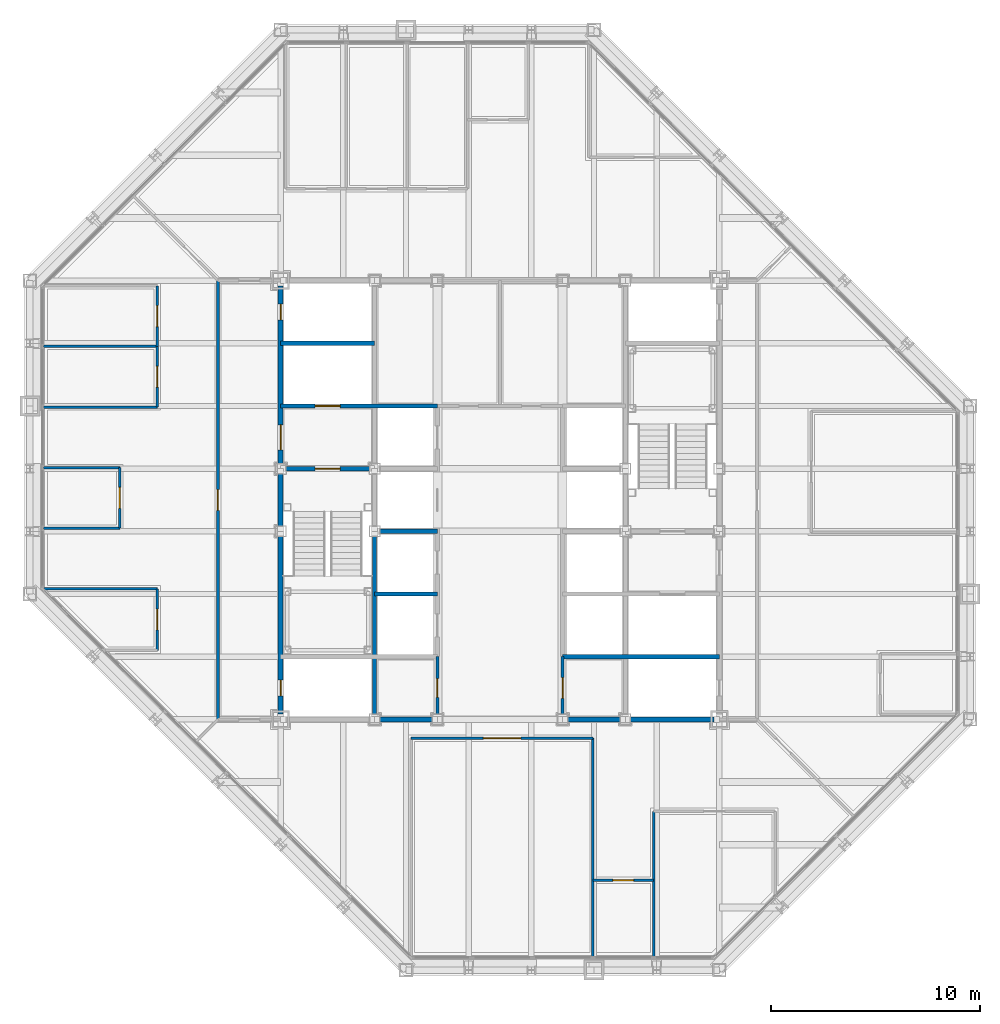
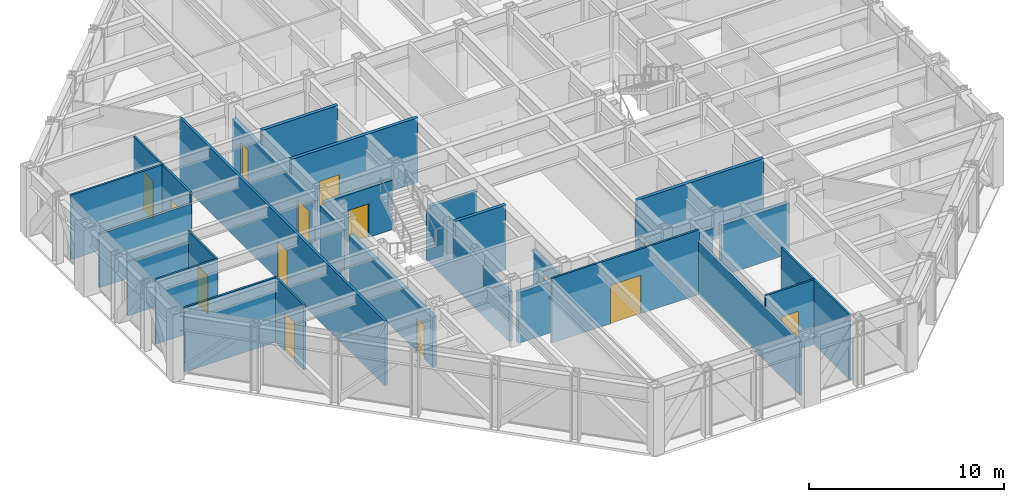
# One storey, part 11 of 16: 29 walls, 14 doors, 14 openings.
"""IFC4 building model written with IfcOpenShell, lengths in metres."""

from ifc_helpers import new_model, si_unit, direction, frame, frame_2d, origin, place, context, subcontext, project, spatial, rectangle, extrude, material, layer, layer_set, type_object, element, fill, save


model = new_model("IFC4")

# Units and contexts
model_context = context("Model", 3, precision=1e-05, world=origin(), true_north=direction((0.0, 1.0)))
body_context = subcontext(model_context, "Body", "Model", "MODEL_VIEW")
ifc_project = project(units=[si_unit("LENGTHUNIT", "METRE"), si_unit("AREAUNIT", "SQUARE_METRE"), si_unit("VOLUMEUNIT", "CUBIC_METRE"), si_unit("PLANEANGLEUNIT", "RADIAN"), si_unit("MASSUNIT", "GRAM", prefix="KILO")], contexts=[model_context])

# Site, building, storey
site_placement = place(None, origin())
site = spatial("IfcSite", under=ifc_project, at=site_placement, CompositionType="ELEMENT")
building_placement = place(site_placement, origin())
building = spatial("IfcBuilding", under=site, at=building_placement, Name="Chuquiago Exchange Tower", CompositionType="ELEMENT")
storey_placement = place(building_placement, frame((0.0, 0.0, 234.89990234375)))
storey = spatial("IfcBuildingStorey", under=building, at=storey_placement, Name="L52", CompositionType="ELEMENT", Elevation=234.89990234375)

# Wall, opening, door
ifc_material_1 = material(Name="Concrete masonry, fully grouted", Category="masonry")
ifc_layer_1 = layer(ifc_material_1, 0.25)
ifc_layer_set_1 = layer_set([ifc_layer_1], Name="W1 core wall 250")
wall_type_1 = type_object("IfcWallType", Name="W1 core wall 250", PredefinedType="SOLIDWALL", material=ifc_layer_set_1)
wall_1_placement = place(storey_placement, frame((12.0, 12.25, 0.0), z_axis=(0.0, 0.0, 1.0), x_axis=(0.0, 1.0, 0.0)))
wall_1 = element("IfcWall", 1, at=wall_1_placement, inside=storey, type_object=wall_type_1, Name="CW-L52-00-0", PredefinedType="SOLIDWALL", context=body_context, shape_type="SweptSolid", body=[
    extrude(rectangle(XDim=8.5, YDim=0.25, at=frame_2d((4.25, 0.0))), origin(), (0.0, 0.0, 1.0), 3.113037109375),
])
opening_1_placement = place(wall_1_placement, frame((0.875, 0.0, 0.0)))
opening_1 = element("IfcOpeningElement", 2, at=opening_1_placement, cuts=wall_1, Name="Opening L52-007", PredefinedType="OPENING", context=body_context, shape_type="SweptSolid", body=[
    extrude(rectangle(XDim=0.75, YDim=2.10009765625, at=frame_2d((0.375, 1.050048828125))), frame((0.0, 0.135009765625, 0.0), z_axis=(0.0, -1.0, 0.0), x_axis=(1.0, 0.0, 0.0)), (0.0, 0.0, 1.0), 0.27001953125),
])
ifc_material_2 = material(Name="Steel door, painted", Category="steel")
door_type_1 = type_object("IfcDoorType", Name="D6 riser access door 750x2100", OperationType="SINGLE_SWING_LEFT", PredefinedType="DOOR", material=ifc_material_2)
door_1_placement = place(opening_1_placement, origin())
door_1 = element("IfcDoor", 3, at=door_1_placement, inside=storey, type_object=door_type_1, Name="Riser RW1 door", OperationType="SINGLE_SWING_LEFT", OverallHeight=2.10009765625, OverallWidth=0.75, PredefinedType="DOOR", context=body_context, shape_type="SweptSolid", body=[
    extrude(rectangle(XDim=0.75, YDim=2.10009765625, at=frame_2d((0.375, 1.050048828125))), frame((0.0, 0.02490234375, 0.0), z_axis=(0.0, -1.0, 0.0), x_axis=(1.0, 0.0, 0.0)), (0.0, 0.0, 1.0), 0.050048828125),
])
fill(opening_1, door_1)

# Wall
wall_2_placement = place(storey_placement, frame((12.0, 21.25, 0.0), z_axis=(0.0, 0.0, 1.0), x_axis=(0.0, 1.0, 0.0)))
element("IfcWall", 4, at=wall_2_placement, inside=storey, type_object=wall_type_1, Name="CW-L52-00-1", PredefinedType="SOLIDWALL", context=body_context, shape_type="SweptSolid", body=[
    extrude(rectangle(XDim=2.5, YDim=0.25, at=frame_2d((1.25, 0.0))), origin(), (0.0, 0.0, 1.0), 3.113037109375),
])

# Wall, openings, doors
wall_3_placement = place(storey_placement, frame((12.0, 24.25, 0.0), z_axis=(0.0, 0.0, 1.0), x_axis=(0.0, 1.0, 0.0)))
wall_3 = element("IfcWall", 5, at=wall_3_placement, inside=storey, type_object=wall_type_1, Name="CW-L52-00-2", PredefinedType="SOLIDWALL", context=body_context, shape_type="SweptSolid", body=[
    extrude(rectangle(XDim=8.5, YDim=0.25, at=frame_2d((4.25, 0.0))), origin(), (0.0, 0.0, 1.0), 3.113037109375),
])
opening_2_placement = place(wall_3_placement, frame((0.64990234375, 0.0, 0.0)))
opening_2 = element("IfcOpeningElement", 6, at=opening_2_placement, cuts=wall_3, Name="Opening L52-002", PredefinedType="OPENING", context=body_context, shape_type="SweptSolid", body=[
    extrude(rectangle(XDim=1.199951171875, YDim=2.10009765625, at=frame_2d((0.60009765625, 1.050048828125))), frame((0.0, 0.135009765625, 0.0), z_axis=(0.0, -1.0, 0.0), x_axis=(1.0, 0.0, 0.0)), (0.0, 0.0, 1.0), 0.27001953125),
])
opening_3_placement = place(wall_3_placement, frame((6.875, 0.0, 0.0)))
opening_3 = element("IfcOpeningElement", 7, at=opening_3_placement, cuts=wall_3, Name="Opening L52-008", PredefinedType="OPENING", context=body_context, shape_type="SweptSolid", body=[
    extrude(rectangle(XDim=0.75, YDim=2.10009765625, at=frame_2d((0.375, 1.050048828125))), frame((0.0, 0.135009765625, 0.0), z_axis=(0.0, -1.0, 0.0), x_axis=(1.0, 0.0, 0.0)), (0.0, 0.0, 1.0), 0.27001953125),
])
ifc_material_3 = material(Name="Steel door, painted", Category="steel")
door_type_2 = type_object("IfcDoorType", Name="D5 firefighting lobby door 1200x2100", OperationType="SINGLE_SWING_LEFT", PredefinedType="DOOR", material=ifc_material_3)
door_2_placement = place(opening_2_placement, frame((1.199951171875, 0.0, 0.0), z_axis=(0.0, 0.0, 1.0), x_axis=(-1.0, 0.0, 0.0)))
door_2 = element("IfcDoor", 8, at=door_2_placement, inside=storey, type_object=door_type_2, Name="Firefighting lobby 1 door", OperationType="SINGLE_SWING_RIGHT", OverallHeight=2.10009765625, OverallWidth=1.199951171875, PredefinedType="DOOR", context=body_context, shape_type="SweptSolid", body=[
    extrude(rectangle(XDim=1.199951171875, YDim=2.10009765625, at=frame_2d((0.60009765625, 1.050048828125))), frame((0.0, 0.02490234375, 0.0), z_axis=(0.0, -1.0, 0.0), x_axis=(1.0, 0.0, 0.0)), (0.0, 0.0, 1.0), 0.050048828125),
])
fill(opening_2, door_2)
door_3_placement = place(opening_3_placement, origin())
door_3 = element("IfcDoor", 9, at=door_3_placement, inside=storey, type_object=door_type_1, Name="Riser RW2 door", OperationType="SINGLE_SWING_RIGHT", OverallHeight=2.10009765625, OverallWidth=0.75, PredefinedType="DOOR", context=body_context, shape_type="SweptSolid", body=[
    extrude(rectangle(XDim=0.75, YDim=2.10009765625, at=frame_2d((0.375, 1.050048828125))), frame((0.0, 0.02490234375, 0.0), z_axis=(0.0, -1.0, 0.0), x_axis=(1.0, 0.0, 0.0)), (0.0, 0.0, 1.0), 0.050048828125),
])
fill(opening_3, door_3)

# Walls
for number, where, z_axis, x_axis, name in (
    (10, (16.75, 12.0, 0.0), (0.0, 0.0, 1.0), (1.0, 0.0, 0.0), "CW-L52-01-1"),
    (11, (25.75, 12.0, 0.0), (0.0, 0.0, 1.0), (1.0, 0.0, 0.0), "CW-L52-02-0"),
):
    element("IfcWall", number, at=place(storey_placement, frame(where, z_axis=z_axis, x_axis=x_axis)), inside=storey, type_object=wall_type_1, Name=name, PredefinedType="SOLIDWALL", context=body_context, shape_type="SweptSolid", body=[
        extrude(rectangle(XDim=2.5, YDim=0.25, at=frame_2d((1.25, 0.0))), origin(), (0.0, 0.0, 1.0), 3.181640625),
    ])
wall_4_placement = place(storey_placement, frame((28.75, 12.0, 0.0), z_axis=(0.0, 0.0, 1.0), x_axis=(1.0, 0.0, 0.0)))
element("IfcWall", 12, at=wall_4_placement, inside=storey, type_object=wall_type_1, Name="CW-L52-02-1", PredefinedType="SOLIDWALL", context=body_context, shape_type="SweptSolid", body=[
    extrude(rectangle(XDim=4.0, YDim=0.25, at=frame_2d((2.0, 0.0))), origin(), (0.0, 0.0, 1.0), 3.181640625),
])

# Wall, opening, door
ifc_material_4 = material(Name="Gypsum board on steel studs, acoustic insulation", Category="steel")
ifc_layer_2 = layer(ifc_material_4, 0.14990234375)
ifc_layer_set_2 = layer_set([ifc_layer_2], Name="W11 corridor wall 150")
wall_type_2 = type_object("IfcWallType", Name="W11 corridor wall 150", PredefinedType="PARTITIONING", material=ifc_layer_set_2)
wall_5_placement = place(storey_placement, frame((9.0, 12.0, 0.0), z_axis=(0.0, 0.0, 1.0), x_axis=(0.0, 1.0, 0.0)))
wall_5 = element("IfcWall", 13, at=wall_5_placement, inside=storey, type_object=wall_type_2, Name="PW-L52-GW0", PredefinedType="PARTITIONING", context=body_context, shape_type="SweptSolid", body=[
    extrude(rectangle(XDim=21.0, YDim=0.14990234375, at=frame_2d((10.5, 0.0))), origin(), (0.0, 0.0, 1.0), 4.0400390625),
])
opening_4_placement = place(wall_5_placement, frame((10.0, 0.0, 0.0)))
opening_4 = element("IfcOpeningElement", 14, at=opening_4_placement, cuts=wall_5, Name="Opening L52-033", PredefinedType="OPENING", context=body_context, shape_type="SweptSolid", body=[
    extrude(rectangle(XDim=1.0, YDim=2.39990234375, at=frame_2d((0.5, 1.199951171875))), frame((0.0, 0.0849609375, 0.0), z_axis=(0.0, -1.0, 0.0), x_axis=(1.0, 0.0, 0.0)), (0.0, 0.0, 1.0), 0.169921875),
])
ifc_material_5 = material(Name="Timber door, laminate faced", Category="wood")
door_type_3 = type_object("IfcDoorType", Name="D9 room door 1000x2400", OperationType="SINGLE_SWING_LEFT", PredefinedType="DOOR", material=ifc_material_5)
door_4_placement = place(opening_4_placement, origin())
door_4 = element("IfcDoor", 15, at=door_4_placement, inside=storey, type_object=door_type_3, Name="Team area door", OperationType="SINGLE_SWING_LEFT", OverallHeight=2.39990234375, OverallWidth=1.0, PredefinedType="DOOR", context=body_context, shape_type="SweptSolid", body=[
    extrude(rectangle(XDim=1.0, YDim=2.39990234375, at=frame_2d((0.5, 1.199951171875))), frame((0.0, 0.02490234375, 0.0), z_axis=(0.0, -1.0, 0.0), x_axis=(1.0, 0.0, 0.0)), (0.0, 0.0, 1.0), 0.050048828125),
])
fill(opening_4, door_4)

# Wall
ifc_material_6 = material(Name="Concrete masonry, fully grouted", Category="masonry")
ifc_layer_3 = layer(ifc_material_6, 0.199951171875)
ifc_layer_set_3 = layer_set([ifc_layer_3], Name="W2 shaft wall 200")
wall_type_3 = type_object("IfcWallType", Name="W2 shaft wall 200", PredefinedType="SOLIDWALL", material=ifc_layer_set_3)
wall_6_placement = place(storey_placement, frame((25.5, 15.0, 0.0), z_axis=(0.0, 0.0, 1.0), x_axis=(1.0, 0.0, 0.0)))
element("IfcWall", 16, at=wall_6_placement, inside=storey, type_object=wall_type_3, Name="CW-L52-04-0", PredefinedType="SOLIDWALL", context=body_context, shape_type="SweptSolid", body=[
    extrude(rectangle(XDim=7.5, YDim=0.199951171875, at=frame_2d((3.75, 0.0))), origin(), (0.0, 0.0, 1.0), 4.0400390625),
])

# Wall, opening, door
wall_7_placement = place(storey_placement, frame((12.25, 24.0, 0.0), z_axis=(0.0, 0.0, 1.0), x_axis=(1.0, 0.0, 0.0)))
wall_7 = element("IfcWall", 17, at=wall_7_placement, inside=storey, type_object=wall_type_3, Name="CW-L52-05-0", PredefinedType="SOLIDWALL", context=body_context, shape_type="SweptSolid", body=[
    extrude(rectangle(XDim=4.0, YDim=0.199951171875, at=frame_2d((2.0, 0.0))), origin(), (0.0, 0.0, 1.0), 3.090087890625),
])
opening_5_placement = place(wall_7_placement, frame((1.39990234375, 0.0, 0.0)))
opening_5 = element("IfcOpeningElement", 18, at=opening_5_placement, cuts=wall_7, Name="Opening L52-001", PredefinedType="OPENING", context=body_context, shape_type="SweptSolid", body=[
    extrude(rectangle(XDim=1.199951171875, YDim=2.10009765625, at=frame_2d((0.60009765625, 1.050048828125))), frame((0.0, 0.10986328125, 0.0), z_axis=(0.0, -1.0, 0.0), x_axis=(1.0, 0.0, 0.0)), (0.0, 0.0, 1.0), 0.219970703125),
])
ifc_material_7 = material(Name="Steel door, painted", Category="steel")
door_type_4 = type_object("IfcDoorType", Name="D4 stair door 1200x2100", OperationType="SINGLE_SWING_LEFT", PredefinedType="DOOR", material=ifc_material_7)
door_5_placement = place(opening_5_placement, frame((1.199951171875, 0.0, 0.0), z_axis=(0.0, 0.0, 1.0), x_axis=(-1.0, 0.0, 0.0)))
door_5 = element("IfcDoor", 19, at=door_5_placement, inside=storey, type_object=door_type_4, Name="Stair ST1 door", OperationType="SINGLE_SWING_RIGHT", OverallHeight=2.10009765625, OverallWidth=1.199951171875, PredefinedType="DOOR", context=body_context, shape_type="SweptSolid", body=[
    extrude(rectangle(XDim=1.199951171875, YDim=2.10009765625, at=frame_2d((0.60009765625, 1.050048828125))), frame((0.0, 0.02490234375, 0.0), z_axis=(0.0, -1.0, 0.0), x_axis=(1.0, 0.0, 0.0)), (0.0, 0.0, 1.0), 0.050048828125),
])
fill(opening_5, door_5)

wall_8_placement = place(storey_placement, frame((12.0, 27.0, 0.0), z_axis=(0.0, 0.0, 1.0), x_axis=(1.0, 0.0, 0.0)))
wall_8 = element("IfcWall", 20, at=wall_8_placement, inside=storey, type_object=wall_type_3, Name="CW-L52-07-0", PredefinedType="SOLIDWALL", context=body_context, shape_type="SweptSolid", body=[
    extrude(rectangle(XDim=7.5, YDim=0.199951171875, at=frame_2d((3.75, 0.0))), origin(), (0.0, 0.0, 1.0), 4.0400390625),
])
opening_6_placement = place(wall_8_placement, frame((1.64990234375, 0.0, 0.0)))
opening_6 = element("IfcOpeningElement", 21, at=opening_6_placement, cuts=wall_8, Name="Opening L52-005", PredefinedType="OPENING", context=body_context, shape_type="SweptSolid", body=[
    extrude(rectangle(XDim=1.199951171875, YDim=2.10009765625, at=frame_2d((0.60009765625, 1.050048828125))), frame((0.0, 0.10986328125, 0.0), z_axis=(0.0, -1.0, 0.0), x_axis=(1.0, 0.0, 0.0)), (0.0, 0.0, 1.0), 0.219970703125),
])
ifc_material_8 = material(Name="Stainless steel lift landing door", Category="steel")
door_type_5 = type_object("IfcDoorType", Name="LD2 firefighting lift landing door 1200x2100", OperationType="DOUBLE_DOOR_SLIDING", PredefinedType="DOOR", material=ifc_material_8)
door_6_placement = place(opening_6_placement, origin())
door_6 = element("IfcDoor", 22, at=door_6_placement, inside=storey, type_object=door_type_5, Name="Firefighting lift FL1 landing door", OperationType="DOUBLE_DOOR_SLIDING", OverallHeight=2.10009765625, OverallWidth=1.199951171875, PredefinedType="DOOR", context=body_context, shape_type="SweptSolid", body=[
    extrude(rectangle(XDim=1.199951171875, YDim=2.10009765625, at=frame_2d((0.60009765625, 1.050048828125))), frame((0.0, 0.02490234375, 0.0), z_axis=(0.0, -1.0, 0.0), x_axis=(1.0, 0.0, 0.0)), (0.0, 0.0, 1.0), 0.050048828125),
])
fill(opening_6, door_6)

# Walls
wall_9_placement = place(storey_placement, frame((12.0, 30.0, 0.0), z_axis=(0.0, 0.0, 1.0), x_axis=(1.0, 0.0, 0.0)))
element("IfcWall", 23, at=wall_9_placement, inside=storey, type_object=wall_type_3, Name="CW-L52-09-0", PredefinedType="SOLIDWALL", context=body_context, shape_type="SweptSolid", body=[
    extrude(rectangle(XDim=4.5, YDim=0.199951171875, at=frame_2d((2.25, 0.0))), origin(), (0.0, 0.0, 1.0), 4.0400390625),
])
wall_10_placement = place(storey_placement, frame((16.5, 12.25, 0.0), z_axis=(0.0, 0.0, 1.0), x_axis=(0.0, 1.0, 0.0)))
element("IfcWall", 24, at=wall_10_placement, inside=storey, type_object=wall_type_3, Name="CW-L52-13-0", PredefinedType="SOLIDWALL", context=body_context, shape_type="SweptSolid", body=[
    extrude(rectangle(XDim=8.5, YDim=0.199951171875, at=frame_2d((4.25, 0.0))), origin(), (0.0, 0.0, 1.0), 3.113037109375),
])
wall_11_placement = place(storey_placement, frame((16.5, 18.0, 0.0), z_axis=(0.0, 0.0, 1.0), x_axis=(1.0, 0.0, 0.0)))
element("IfcWall", 25, at=wall_11_placement, inside=storey, type_object=wall_type_3, Name="CW-L52-14-0", PredefinedType="SOLIDWALL", context=body_context, shape_type="SweptSolid", body=[
    extrude(rectangle(XDim=3.0, YDim=0.199951171875, at=frame_2d((1.5, 0.0))), origin(), (0.0, 0.0, 1.0), 4.0400390625),
])
wall_12_placement = place(storey_placement, frame((16.75, 21.0, 0.0), z_axis=(0.0, 0.0, 1.0), x_axis=(1.0, 0.0, 0.0)))
element("IfcWall", 26, at=wall_12_placement, inside=storey, type_object=wall_type_3, Name="CW-L52-16-0", PredefinedType="SOLIDWALL", context=body_context, shape_type="SweptSolid", body=[
    extrude(rectangle(XDim=2.75, YDim=0.199951171875, at=frame_2d((1.375, 0.0))), origin(), (0.0, 0.0, 1.0), 3.090087890625),
])

# Wall, opening, door
ifc_material_9 = material(Name="Gypsum board on steel studs", Category="steel")
ifc_layer_4 = layer(ifc_material_9, 0.14990234375)
ifc_layer_set_4 = layer_set([ifc_layer_4], Name="W3 core partition 150")
wall_type_4 = type_object("IfcWallType", Name="W3 core partition 150", PredefinedType="PARTITIONING", material=ifc_layer_set_4)
wall_13_placement = place(storey_placement, frame((19.5, 12.25, 0.0), z_axis=(0.0, 0.0, 1.0), x_axis=(0.0, 1.0, 0.0)))
wall_13 = element("IfcWall", 27, at=wall_13_placement, inside=storey, type_object=wall_type_4, Name="CW-L52-18-0", PredefinedType="PARTITIONING", context=body_context, shape_type="SweptSolid", body=[
    extrude(rectangle(XDim=2.75, YDim=0.14990234375, at=frame_2d((1.375, 0.0))), origin(), (0.0, 0.0, 1.0), 3.064697265625),
])
opening_7_placement = place(wall_13_placement, frame((0.800048828125, 0.0, 0.0)))
opening_7 = element("IfcOpeningElement", 28, at=opening_7_placement, cuts=wall_13, Name="Opening L52-014", PredefinedType="OPENING", context=body_context, shape_type="SweptSolid", body=[
    extrude(rectangle(XDim=0.89990234375, YDim=2.10009765625, at=frame_2d((0.449951171875, 1.050048828125))), frame((0.0, 0.0849609375, 0.0), z_axis=(0.0, -1.0, 0.0), x_axis=(1.0, 0.0, 0.0)), (0.0, 0.0, 1.0), 0.169921875),
])
ifc_material_10 = material(Name="Timber door, laminate faced", Category="wood")
door_type_6 = type_object("IfcDoorType", Name="D7 toilet door 900x2100", OperationType="SINGLE_SWING_LEFT", PredefinedType="DOOR", material=ifc_material_10)
door_7_placement = place(opening_7_placement, frame((0.89990234375, 0.0, 0.0), z_axis=(0.0, 0.0, 1.0), x_axis=(-1.0, 0.0, 0.0)))
door_7 = element("IfcDoor", 29, at=door_7_placement, inside=storey, type_object=door_type_6, Name="Cleaner door", OperationType="SINGLE_SWING_RIGHT", OverallHeight=2.10009765625, OverallWidth=0.89990234375, PredefinedType="DOOR", context=body_context, shape_type="SweptSolid", body=[
    extrude(rectangle(XDim=0.89990234375, YDim=2.10009765625, at=frame_2d((0.449951171875, 1.050048828125))), frame((0.0, 0.02490234375, 0.0), z_axis=(0.0, -1.0, 0.0), x_axis=(1.0, 0.0, 0.0)), (0.0, 0.0, 1.0), 0.050048828125),
])
fill(opening_7, door_7)

wall_14_placement = place(storey_placement, frame((25.5, 12.25, 0.0), z_axis=(0.0, 0.0, 1.0), x_axis=(0.0, 1.0, 0.0)))
wall_14 = element("IfcWall", 30, at=wall_14_placement, inside=storey, type_object=wall_type_4, Name="CW-L52-21-0", PredefinedType="PARTITIONING", context=body_context, shape_type="SweptSolid", body=[
    extrude(rectangle(XDim=2.75, YDim=0.14990234375, at=frame_2d((1.375, 0.0))), origin(), (0.0, 0.0, 1.0), 3.064697265625),
])
opening_8_placement = place(wall_14_placement, frame((0.75, 0.0, 0.0)))
opening_8 = element("IfcOpeningElement", 31, at=opening_8_placement, cuts=wall_14, Name="Opening L52-013", PredefinedType="OPENING", context=body_context, shape_type="SweptSolid", body=[
    extrude(rectangle(XDim=1.0, YDim=2.10009765625, at=frame_2d((0.5, 1.050048828125))), frame((0.0, 0.0849609375, 0.0), z_axis=(0.0, -1.0, 0.0), x_axis=(1.0, 0.0, 0.0)), (0.0, 0.0, 1.0), 0.169921875),
])
ifc_material_11 = material(Name="Timber door, laminate faced", Category="wood")
door_type_7 = type_object("IfcDoorType", Name="D8 accessible toilet door 1000x2100", OperationType="SLIDING_TO_LEFT", PredefinedType="DOOR", material=ifc_material_11)
door_8_placement = place(opening_8_placement, origin())
door_8 = element("IfcDoor", 32, at=door_8_placement, inside=storey, type_object=door_type_7, Name="Accessible WC door", OperationType="SLIDING_TO_LEFT", OverallHeight=2.10009765625, OverallWidth=1.0, PredefinedType="DOOR", context=body_context, shape_type="SweptSolid", body=[
    extrude(rectangle(XDim=1.0, YDim=2.10009765625, at=frame_2d((0.5, 1.050048828125))), frame((0.0, 0.02490234375, 0.0), z_axis=(0.0, -1.0, 0.0), x_axis=(1.0, 0.0, 0.0)), (0.0, 0.0, 1.0), 0.050048828125),
])
fill(opening_8, door_8)

# Walls
ifc_material_12 = material(Name="Gypsum board on steel studs", Category="steel")
ifc_layer_5 = layer(ifc_material_12, 0.1201171875)
ifc_layer_set_5 = layer_set([ifc_layer_5], Name="W4 partition 120")
wall_type_5 = type_object("IfcWallType", Name="W4 partition 120", PredefinedType="PARTITIONING", material=ifc_layer_set_5)
wall_15_placement = place(storey_placement, frame((26.9501953125, 0.652587890625, 0.0), z_axis=(0.0, 0.0, 1.0), x_axis=(0.0, 1.0, 0.0)))
element("IfcWall", 33, at=wall_15_placement, inside=storey, type_object=wall_type_5, Name="PW-L52-S02695", PredefinedType="PARTITIONING", context=body_context, shape_type="SweptSolid", body=[
    extrude(rectangle(XDim=10.447509765625, YDim=0.1201171875, at=frame_2d((5.2236328125, 0.0))), origin(), (0.0, 0.0, 1.0), 3.35693359375),
])
wall_16_placement = place(storey_placement, frame((29.850830078125, 0.652587890625, 0.0), z_axis=(0.0, 0.0, 1.0), x_axis=(0.0, 1.0, 0.0)))
element("IfcWall", 34, at=wall_16_placement, inside=storey, type_object=wall_type_5, Name="PW-L52-S02985", PredefinedType="PARTITIONING", context=body_context, shape_type="SweptSolid", body=[
    extrude(rectangle(XDim=6.947509765625, YDim=0.1201171875, at=frame_2d((3.4736328125, 0.0))), origin(), (0.0, 0.0, 1.0), 4.0400390625),
])

# Wall, opening, door
wall_17_placement = place(storey_placement, frame((18.24853515625, 11.10009765625, 0.0), z_axis=(0.0, 0.0, 1.0), x_axis=(1.0, 0.0, 0.0)))
wall_17 = element("IfcWall", 35, at=wall_17_placement, inside=storey, type_object=wall_type_5, Name="PW-L52-SF01825", PredefinedType="PARTITIONING", context=body_context, shape_type="SweptSolid", body=[
    extrude(rectangle(XDim=8.70166015625, YDim=0.1201171875, at=frame_2d((4.350830078125, 0.0))), origin(), (0.0, 0.0, 1.0), 4.0400390625),
])
opening_9_placement = place(wall_17_placement, frame((3.450927734375, 0.0, 0.0)))
opening_9 = element("IfcOpeningElement", 36, at=opening_9_placement, cuts=wall_17, Name="Opening L52-019", PredefinedType="OPENING", context=body_context, shape_type="SweptSolid", body=[
    extrude(rectangle(XDim=1.800048828125, YDim=2.39990234375, at=frame_2d((0.89990234375, 1.199951171875))), frame((0.0, 0.070068359375, 0.0), z_axis=(0.0, -1.0, 0.0), x_axis=(1.0, 0.0, 0.0)), (0.0, 0.0, 1.0), 0.14013671875),
])
ifc_material_13 = material(Name="Timber door pair, laminate faced", Category="wood")
door_type_8 = type_object("IfcDoorType", Name="D15 double room door 1800x2400", OperationType="DOUBLE_DOOR_DOUBLE_SWING", PredefinedType="DOOR", material=ifc_material_13)
door_9_placement = place(opening_9_placement, origin())
door_9 = element("IfcDoor", 37, at=door_9_placement, inside=storey, type_object=door_type_8, Name="Trading room door", OperationType="DOUBLE_DOOR_DOUBLE_SWING", OverallHeight=2.39990234375, OverallWidth=1.800048828125, PredefinedType="DOOR", context=body_context, shape_type="SweptSolid", body=[
    extrude(rectangle(XDim=1.800048828125, YDim=2.39990234375, at=frame_2d((0.89990234375, 1.199951171875))), frame((0.0, 0.02490234375, 0.0), z_axis=(0.0, -1.0, 0.0), x_axis=(1.0, 0.0, 0.0)), (0.0, 0.0, 1.0), 0.050048828125),
])
fill(opening_9, door_9)

wall_18_placement = place(storey_placement, frame((26.9501953125, 4.300048828125, 0.0), z_axis=(0.0, 0.0, 1.0), x_axis=(1.0, 0.0, 0.0)))
wall_18 = element("IfcWall", 38, at=wall_18_placement, inside=storey, type_object=wall_type_5, Name="PW-L52-SF02695", PredefinedType="PARTITIONING", context=body_context, shape_type="SweptSolid", body=[
    extrude(rectangle(XDim=2.900634765625, YDim=0.1201171875, at=frame_2d((1.4501953125, 0.0))), origin(), (0.0, 0.0, 1.0), 4.0400390625),
])
opening_10_placement = place(wall_18_placement, frame((0.9501953125, 0.0, 0.0)))
opening_10 = element("IfcOpeningElement", 39, at=opening_10_placement, cuts=wall_18, Name="Opening L52-020", PredefinedType="OPENING", context=body_context, shape_type="SweptSolid", body=[
    extrude(rectangle(XDim=1.0, YDim=2.39990234375, at=frame_2d((0.5, 1.199951171875))), frame((0.0, 0.070068359375, 0.0), z_axis=(0.0, -1.0, 0.0), x_axis=(1.0, 0.0, 0.0)), (0.0, 0.0, 1.0), 0.14013671875),
])
ifc_material_14 = material(Name="Timber frame door, full height glazed panel", Category="wood")
door_type_9 = type_object("IfcDoorType", Name="D14 glazed meeting room door 1000x2400", OperationType="SINGLE_SWING_LEFT", PredefinedType="DOOR", material=ifc_material_14)
door_10_placement = place(opening_10_placement, frame((1.0, 0.0, 0.0), z_axis=(0.0, 0.0, 1.0), x_axis=(-1.0, 0.0, 0.0)))
door_10 = element("IfcDoor", 40, at=door_10_placement, inside=storey, type_object=door_type_9, Name="Focus room door", OperationType="SINGLE_SWING_RIGHT", OverallHeight=2.39990234375, OverallWidth=1.0, PredefinedType="DOOR", context=body_context, shape_type="SweptSolid", body=[
    extrude(rectangle(XDim=1.0, YDim=2.39990234375, at=frame_2d((0.5, 1.199951171875))), frame((0.0, 0.02490234375, 0.0), z_axis=(0.0, -1.0, 0.0), x_axis=(1.0, 0.0, 0.0)), (0.0, 0.0, 1.0), 0.050048828125),
])
fill(opening_10, door_10)

# Walls
wall_19_placement = place(storey_placement, frame((0.666015625, 18.24853515625, 0.0), z_axis=(0.0, 0.0, 1.0), x_axis=(1.0, 0.0, 0.0)))
element("IfcWall", 41, at=wall_19_placement, inside=storey, type_object=wall_type_5, Name="PW-L52-W01825", PredefinedType="PARTITIONING", context=body_context, shape_type="SweptSolid", body=[
    extrude(rectangle(XDim=5.43408203125, YDim=0.1201171875, at=frame_2d((2.717041015625, 0.0))), origin(), (0.0, 0.0, 1.0), 4.0400390625),
])
wall_20_placement = place(storey_placement, frame((0.652587890625, 21.149169921875, 0.0), z_axis=(0.0, 0.0, 1.0), x_axis=(1.0, 0.0, 0.0)))
element("IfcWall", 42, at=wall_20_placement, inside=storey, type_object=wall_type_5, Name="PW-L52-W02115", PredefinedType="PARTITIONING", context=body_context, shape_type="SweptSolid", body=[
    extrude(rectangle(XDim=3.6474609375, YDim=0.1201171875, at=frame_2d((1.82373046875, 0.0))), origin(), (0.0, 0.0, 1.0), 4.0400390625),
])
wall_21_placement = place(storey_placement, frame((0.652587890625, 24.0498046875, 0.0), z_axis=(0.0, 0.0, 1.0), x_axis=(1.0, 0.0, 0.0)))
element("IfcWall", 43, at=wall_21_placement, inside=storey, type_object=wall_type_5, Name="PW-L52-W02405", PredefinedType="PARTITIONING", context=body_context, shape_type="SweptSolid", body=[
    extrude(rectangle(XDim=3.6474609375, YDim=0.1201171875, at=frame_2d((1.82373046875, 0.0))), origin(), (0.0, 0.0, 1.0), 3.35693359375),
])
wall_22_placement = place(storey_placement, frame((0.652587890625, 26.9501953125, 0.0), z_axis=(0.0, 0.0, 1.0), x_axis=(1.0, 0.0, 0.0)))
element("IfcWall", 44, at=wall_22_placement, inside=storey, type_object=wall_type_5, Name="PW-L52-W02695", PredefinedType="PARTITIONING", context=body_context, shape_type="SweptSolid", body=[
    extrude(rectangle(XDim=5.447509765625, YDim=0.1201171875, at=frame_2d((2.7236328125, 0.0))), origin(), (0.0, 0.0, 1.0), 3.35693359375),
])
wall_23_placement = place(storey_placement, frame((0.652587890625, 29.850830078125, 0.0), z_axis=(0.0, 0.0, 1.0), x_axis=(1.0, 0.0, 0.0)))
element("IfcWall", 45, at=wall_23_placement, inside=storey, type_object=wall_type_5, Name="PW-L52-W02985", PredefinedType="PARTITIONING", context=body_context, shape_type="SweptSolid", body=[
    extrude(rectangle(XDim=5.447509765625, YDim=0.1201171875, at=frame_2d((2.7236328125, 0.0))), origin(), (0.0, 0.0, 1.0), 4.0400390625),
])

# Wall, opening, door
wall_24_placement = place(storey_placement, frame((6.10009765625, 15.30712890625, 0.0), z_axis=(0.0, 0.0, 1.0), x_axis=(0.0, 1.0, 0.0)))
wall_24 = element("IfcWall", 46, at=wall_24_placement, inside=storey, type_object=wall_type_5, Name="PW-L52-WF01531", PredefinedType="PARTITIONING", context=body_context, shape_type="SweptSolid", body=[
    extrude(rectangle(XDim=2.94140625, YDim=0.1201171875, at=frame_2d((1.470703125, 0.0))), origin(), (0.0, 0.0, 1.0), 4.0400390625),
])
opening_11_placement = place(wall_24_placement, frame((0.970703125, 0.0, 0.0)))
opening_11 = element("IfcOpeningElement", 47, at=opening_11_placement, cuts=wall_24, Name="Opening L52-029", PredefinedType="OPENING", context=body_context, shape_type="SweptSolid", body=[
    extrude(rectangle(XDim=1.0, YDim=2.39990234375, at=frame_2d((0.5, 1.199951171875))), frame((0.0, 0.070068359375, 0.0), z_axis=(0.0, -1.0, 0.0), x_axis=(1.0, 0.0, 0.0)), (0.0, 0.0, 1.0), 0.14013671875),
])
door_11_placement = place(opening_11_placement, origin())
door_11 = element("IfcDoor", 48, at=door_11_placement, inside=storey, type_object=door_type_9, Name="Meeting room door", OperationType="SINGLE_SWING_RIGHT", OverallHeight=2.39990234375, OverallWidth=1.0, PredefinedType="DOOR", context=body_context, shape_type="SweptSolid", body=[
    extrude(rectangle(XDim=1.0, YDim=2.39990234375, at=frame_2d((0.5, 1.199951171875))), frame((0.0, 0.02490234375, 0.0), z_axis=(0.0, -1.0, 0.0), x_axis=(1.0, 0.0, 0.0)), (0.0, 0.0, 1.0), 0.050048828125),
])
fill(opening_11, door_11)

wall_25_placement = place(storey_placement, frame((4.300048828125, 21.149169921875, 0.0), z_axis=(0.0, 0.0, 1.0), x_axis=(0.0, 1.0, 0.0)))
wall_25 = element("IfcWall", 49, at=wall_25_placement, inside=storey, type_object=wall_type_5, Name="PW-L52-WF02115", PredefinedType="PARTITIONING", context=body_context, shape_type="SweptSolid", body=[
    extrude(rectangle(XDim=2.900634765625, YDim=0.1201171875, at=frame_2d((1.4501953125, 0.0))), origin(), (0.0, 0.0, 1.0), 4.0400390625),
])
opening_12_placement = place(wall_25_placement, frame((0.9501953125, 0.0, 0.0)))
opening_12 = element("IfcOpeningElement", 50, at=opening_12_placement, cuts=wall_25, Name="Opening L52-030", PredefinedType="OPENING", context=body_context, shape_type="SweptSolid", body=[
    extrude(rectangle(XDim=1.0, YDim=2.39990234375, at=frame_2d((0.5, 1.199951171875))), frame((0.0, 0.070068359375, 0.0), z_axis=(0.0, -1.0, 0.0), x_axis=(1.0, 0.0, 0.0)), (0.0, 0.0, 1.0), 0.14013671875),
])
door_12_placement = place(opening_12_placement, origin())
door_12 = element("IfcDoor", 51, at=door_12_placement, inside=storey, type_object=door_type_9, Name="Focus room door", OperationType="SINGLE_SWING_LEFT", OverallHeight=2.39990234375, OverallWidth=1.0, PredefinedType="DOOR", context=body_context, shape_type="SweptSolid", body=[
    extrude(rectangle(XDim=1.0, YDim=2.39990234375, at=frame_2d((0.5, 1.199951171875))), frame((0.0, 0.02490234375, 0.0), z_axis=(0.0, -1.0, 0.0), x_axis=(1.0, 0.0, 0.0)), (0.0, 0.0, 1.0), 0.050048828125),
])
fill(opening_12, door_12)

wall_26_placement = place(storey_placement, frame((6.10009765625, 26.9501953125, 0.0), z_axis=(0.0, 0.0, 1.0), x_axis=(0.0, 1.0, 0.0)))
wall_26 = element("IfcWall", 52, at=wall_26_placement, inside=storey, type_object=wall_type_5, Name="PW-L52-WF02695", PredefinedType="PARTITIONING", context=body_context, shape_type="SweptSolid", body=[
    extrude(rectangle(XDim=2.900634765625, YDim=0.1201171875, at=frame_2d((1.4501953125, 0.0))), origin(), (0.0, 0.0, 1.0), 4.0400390625),
])
opening_13_placement = place(wall_26_placement, frame((0.9501953125, 0.0, 0.0)))
opening_13 = element("IfcOpeningElement", 53, at=opening_13_placement, cuts=wall_26, Name="Opening L52-031", PredefinedType="OPENING", context=body_context, shape_type="SweptSolid", body=[
    extrude(rectangle(XDim=1.0, YDim=2.39990234375, at=frame_2d((0.5, 1.199951171875))), frame((0.0, 0.070068359375, 0.0), z_axis=(0.0, -1.0, 0.0), x_axis=(1.0, 0.0, 0.0)), (0.0, 0.0, 1.0), 0.14013671875),
])
door_13_placement = place(opening_13_placement, origin())
door_13 = element("IfcDoor", 54, at=door_13_placement, inside=storey, type_object=door_type_3, Name="Office door", OperationType="SINGLE_SWING_LEFT", OverallHeight=2.39990234375, OverallWidth=1.0, PredefinedType="DOOR", context=body_context, shape_type="SweptSolid", body=[
    extrude(rectangle(XDim=1.0, YDim=2.39990234375, at=frame_2d((0.5, 1.199951171875))), frame((0.0, 0.02490234375, 0.0), z_axis=(0.0, -1.0, 0.0), x_axis=(1.0, 0.0, 0.0)), (0.0, 0.0, 1.0), 0.050048828125),
])
fill(opening_13, door_13)

wall_27_placement = place(storey_placement, frame((6.10009765625, 29.850830078125, 0.0), z_axis=(0.0, 0.0, 1.0), x_axis=(0.0, 1.0, 0.0)))
wall_27 = element("IfcWall", 55, at=wall_27_placement, inside=storey, type_object=wall_type_5, Name="PW-L52-WF02985", PredefinedType="PARTITIONING", context=body_context, shape_type="SweptSolid", body=[
    extrude(rectangle(XDim=2.900634765625, YDim=0.1201171875, at=frame_2d((1.4501953125, 0.0))), origin(), (0.0, 0.0, 1.0), 4.0400390625),
])
opening_14_placement = place(wall_27_placement, frame((0.9501953125, 0.0, 0.0)))
opening_14 = element("IfcOpeningElement", 56, at=opening_14_placement, cuts=wall_27, Name="Opening L52-032", PredefinedType="OPENING", context=body_context, shape_type="SweptSolid", body=[
    extrude(rectangle(XDim=1.0, YDim=2.39990234375, at=frame_2d((0.5, 1.199951171875))), frame((0.0, 0.070068359375, 0.0), z_axis=(0.0, -1.0, 0.0), x_axis=(1.0, 0.0, 0.0)), (0.0, 0.0, 1.0), 0.14013671875),
])
door_14_placement = place(opening_14_placement, origin())
door_14 = element("IfcDoor", 57, at=door_14_placement, inside=storey, type_object=door_type_3, Name="Office door", OperationType="SINGLE_SWING_LEFT", OverallHeight=2.39990234375, OverallWidth=1.0, PredefinedType="DOOR", context=body_context, shape_type="SweptSolid", body=[
    extrude(rectangle(XDim=1.0, YDim=2.39990234375, at=frame_2d((0.5, 1.199951171875))), frame((0.0, 0.02490234375, 0.0), z_axis=(0.0, -1.0, 0.0), x_axis=(1.0, 0.0, 0.0)), (0.0, 0.0, 1.0), 0.050048828125),
])
fill(opening_14, door_14)

save(model, "model.ifc")
